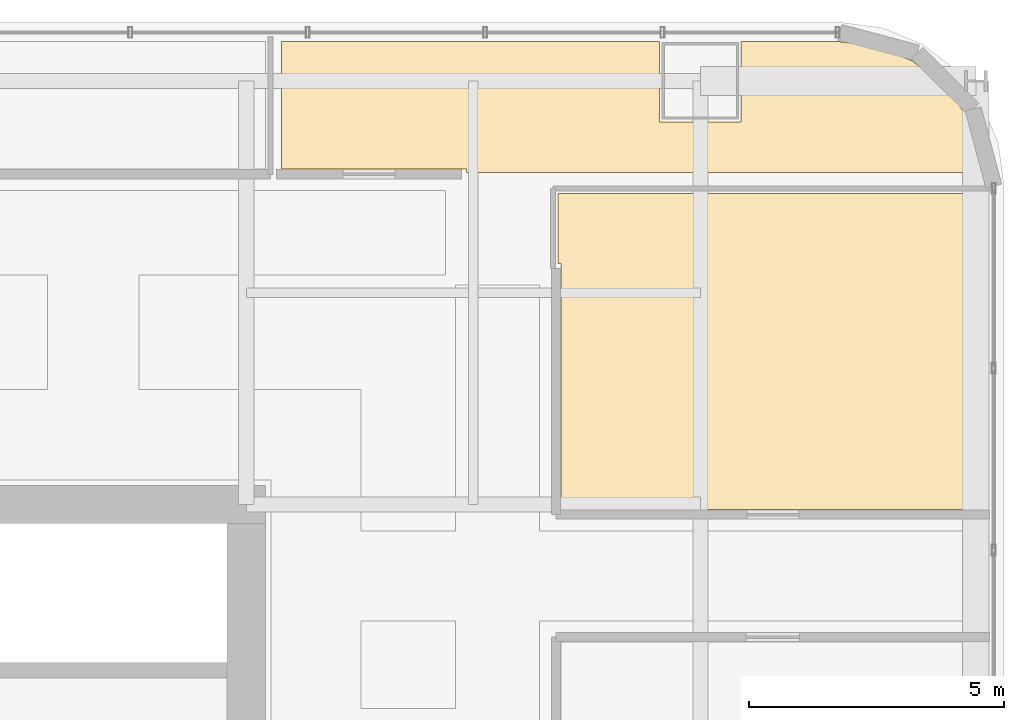
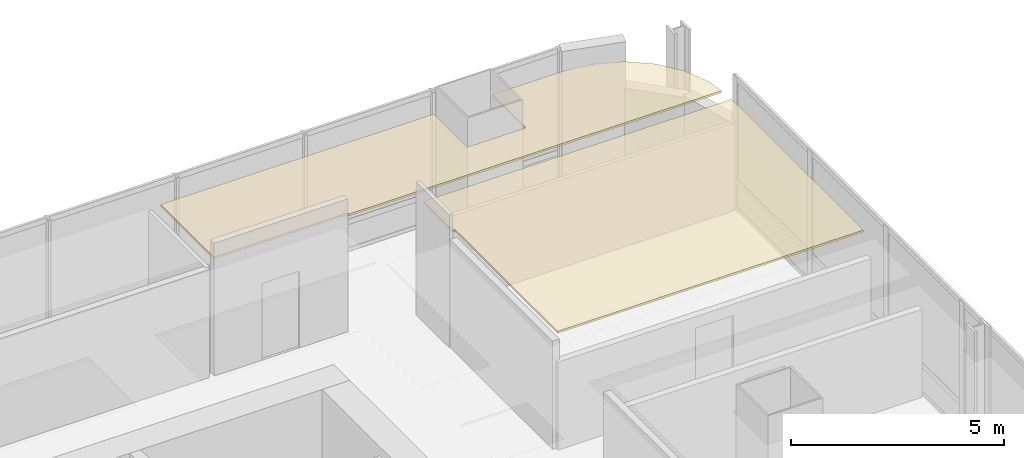
# One storey, part 40 of 40: 2 coverings.
"""IFC4 building model written with IfcOpenShell, lengths in metres."""

from ifc_helpers import new_model, si_unit, direction, frame, origin, place, context, subcontext, project, spatial, polyline, outline, extrude, material, layer, layer_set, type_object, element, save


model = new_model("IFC4")

# Units and contexts
model_context = context("Model", 3, precision=1e-05, world=origin(), true_north=direction((0.0, 1.0)))
body_context = subcontext(model_context, "Body", "Model", "MODEL_VIEW")
ifc_project = project(units=[si_unit("LENGTHUNIT", "METRE"), si_unit("AREAUNIT", "SQUARE_METRE"), si_unit("VOLUMEUNIT", "CUBIC_METRE"), si_unit("PLANEANGLEUNIT", "RADIAN"), si_unit("MASSUNIT", "GRAM", prefix="KILO")], contexts=[model_context])

# Site, building, storey
site_placement = place(None, origin())
site = spatial("IfcSite", under=ifc_project, at=site_placement, CompositionType="ELEMENT")
building_placement = place(site_placement, origin())
building = spatial("IfcBuilding", under=site, at=building_placement, Name="Punatoya Terracotta Tower", CompositionType="ELEMENT")
storey_placement = place(building_placement, frame((0.0, 0.0, 76.800048828125)))
storey = spatial("IfcBuildingStorey", under=building, at=storey_placement, Name="L17", CompositionType="ELEMENT", Elevation=76.800048828125)

# Coverings
ifc_material = material(Name="Acoustic Mineral Fibre Ceiling")
ifc_layer = layer(ifc_material, 0.06005859375)
ifc_layer_set = layer_set([ifc_layer], Name="Acoustic Mineral Fibre Ceiling")
covering_type = type_object("IfcCoveringType", Name="COV-CEIL-60", PredefinedType="CEILING", material=ifc_layer_set)
covering_1_placement = place(storey_placement, frame((0.0, 0.0, 3.199951171875)))
element("IfcCovering", 1, at=covering_1_placement, inside=storey, type_object=covering_type, Name="L17 Symposium Colloquium Room Acoustic Ceiling", PredefinedType="CEILING", context=body_context, shape_type="SweptSolid", body=[
    extrude(outline(polyline([(16.31005859375, 13.919921875), (16.3701171875, 13.919921875), (16.3701171875, 9.10009765625), (24.669921875, 9.10009765625), (24.669921875, 15.2900390625), (16.31005859375, 15.2900390625), (16.31005859375, 13.919921875)])), origin(), (0.0, 0.0, 1.0), 0.06005859375),
])
covering_2_placement = place(storey_placement, frame((0.0, 0.0, 3.199951171875)))
element("IfcCovering", 2, at=covering_2_placement, inside=storey, type_object=covering_type, Name="L17 Open-Plan Translation Conference Room Acoustic Ceiling", PredefinedType="CEILING", context=body_context, shape_type="SweptSolid", body=[
    extrude(outline(polyline([(14.52001953125, 15.7099609375), (24.632568359375, 15.7099609375), (24.57080078125, 16.178955078125), (24.289306640625, 16.8583984375), (23.841796875, 17.441650390625), (23.25830078125, 17.889404296875), (22.5791015625, 18.1708984375), (21.8251953125, 18.27001953125), (19.89990234375, 18.27001953125), (19.89990234375, 16.699951171875), (18.300048828125, 16.699951171875), (18.300048828125, 18.27001953125), (10.89404296875, 18.27001953125), (10.89404296875, 15.77001953125), (14.52001953125, 15.77001953125), (14.52001953125, 15.7099609375)])), origin(), (0.0, 0.0, 1.0), 0.06005859375),
])

save(model, "model.ifc")
